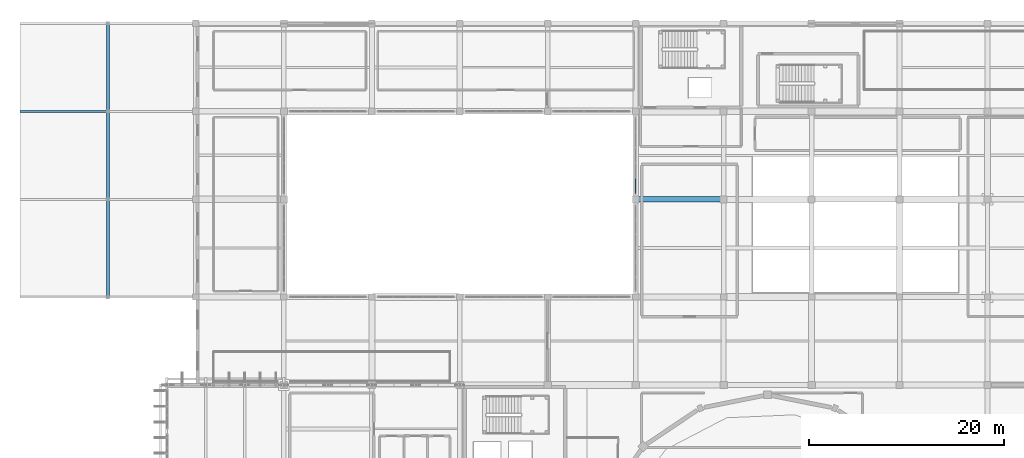
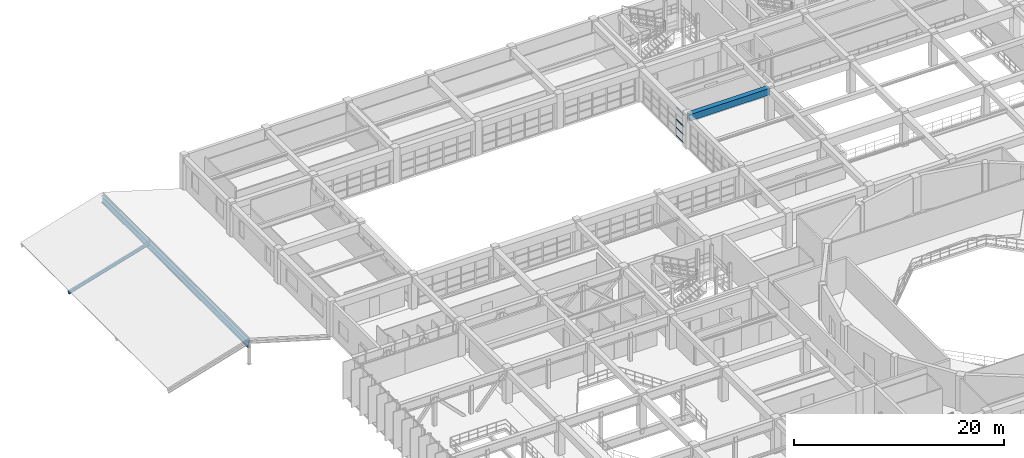
# One storey, part 58 of 130: 5 members, 2 beams, 1 element without a shape of its own.
"""IFC4 building model written with IfcOpenShell, lengths in metres."""

from ifc_helpers import new_model, si_unit, direction, frame, origin, origin_2d, place, context, subcontext, project, spatial, rectangle, hollow_rectangle, i_section, extrude, material, material_profile, profile_set, type_object, element, aggregate, save


model = new_model("IFC4")

# Units and contexts
model_context = context("Model", 3, precision=1e-05, world=origin(), true_north=direction((0.0, 1.0)))
body_context = subcontext(model_context, "Body", "Model", "MODEL_VIEW")
ifc_project = project(units=[si_unit("LENGTHUNIT", "METRE"), si_unit("AREAUNIT", "SQUARE_METRE"), si_unit("VOLUMEUNIT", "CUBIC_METRE"), si_unit("PLANEANGLEUNIT", "RADIAN"), si_unit("MASSUNIT", "GRAM", prefix="KILO")], contexts=[model_context])

# Site, building, storey
site_placement = place(None, origin())
site = spatial("IfcSite", under=ifc_project, at=site_placement, CompositionType="ELEMENT")
building_placement = place(site_placement, origin())
building = spatial("IfcBuilding", under=site, at=building_placement, Name="Miravela Opera House", CompositionType="ELEMENT")
storey_placement = place(building_placement, frame((0.0, 0.0, 9.52001953125)))
storey = spatial("IfcBuildingStorey", under=building, at=storey_placement, Name="L02", CompositionType="ELEMENT", Elevation=9.52001953125)

# Curtain wall, members
ifc_material_1 = material(Name="Anodised architectural bronze aluminium 6063-T6", Category="aluminium")
curtain_wall_type = type_object("IfcCurtainWallType", Name="ARC-CW-05", PredefinedType="NOTDEFINED", material=ifc_material_1)
curtain_wall_placement = place(storey_placement, origin())
curtain_wall = element("IfcCurtainWall", 1, at=curtain_wall_placement, inside=storey, type_object=curtain_wall_type, Name="Courtyard Arcade Curtain Wall CW-L02-100", PredefinedType="NOTDEFINED")
ifc_material_profile_1 = material_profile(ifc_material_1, hollow_rectangle(XDim=0.06005859375, YDim=0.114990234375, WallThickness=0.00390625, InnerFilletRadius=0.001953125, OuterFilletRadius=0.00390625, at=origin_2d()), Name="CWT-60X115")
ifc_profile_set_1 = profile_set([ifc_material_profile_1])
member_type_1 = type_object("IfcMemberType", Name="ARC-CWT-115", PredefinedType="USERDEFINED", material=ifc_profile_set_1)
member_1_placement = place(storey_placement, frame((63.0, 94.639892578125, 0.030029296875), z_axis=(0.0, 1.0, 0.0), x_axis=(-1.0, 0.0, 0.0)))
member_1 = element("IfcMember", 2, at=member_1_placement, type_object=member_type_1, Name="CW-05 transom 1.1", ObjectType="TRANSOM", PredefinedType="USERDEFINED", context=body_context, shape_type="SweptSolid", body=[
    extrude(hollow_rectangle(XDim=0.06005859375, YDim=0.114990234375, WallThickness=0.00390625, InnerFilletRadius=0.001953125, OuterFilletRadius=0.00390625, at=origin_2d()), origin(), (0.0, 0.0, 1.0), 1.47802734375),
])
member_2_placement = place(storey_placement, frame((63.0, 94.639892578125, 0.949951171875), z_axis=(0.0, 1.0, 0.0), x_axis=(-1.0, 0.0, 0.0)))
member_2 = element("IfcMember", 3, at=member_2_placement, type_object=member_type_1, Name="CW-05 transom 1.2", ObjectType="TRANSOM", PredefinedType="USERDEFINED", context=body_context, shape_type="SweptSolid", body=[
    extrude(hollow_rectangle(XDim=0.06005859375, YDim=0.114990234375, WallThickness=0.00390625, InnerFilletRadius=0.001953125, OuterFilletRadius=0.00390625, at=origin_2d()), origin(), (0.0, 0.0, 1.0), 1.47802734375),
])
member_3_placement = place(storey_placement, frame((63.0, 94.639892578125, 1.908203125), z_axis=(0.0, 1.0, 0.0), x_axis=(-1.0, 0.0, 0.0)))
member_3 = element("IfcMember", 4, at=member_3_placement, type_object=member_type_1, Name="CW-05 transom 1.3", ObjectType="TRANSOM", PredefinedType="USERDEFINED", context=body_context, shape_type="SweptSolid", body=[
    extrude(hollow_rectangle(XDim=0.06005859375, YDim=0.114990234375, WallThickness=0.00390625, InnerFilletRadius=0.001953125, OuterFilletRadius=0.00390625, at=origin_2d()), origin(), (0.0, 0.0, 1.0), 1.47802734375),
])
member_4_placement = place(storey_placement, frame((63.0, 94.639892578125, 3.260009765625), z_axis=(0.0, 1.0, 0.0), x_axis=(-1.0, 0.0, 0.0)))
member_4 = element("IfcMember", 5, at=member_4_placement, type_object=member_type_1, Name="CW-05 transom 1.4", ObjectType="TRANSOM", PredefinedType="USERDEFINED", context=body_context, shape_type="SweptSolid", body=[
    extrude(hollow_rectangle(XDim=0.06005859375, YDim=0.114990234375, WallThickness=0.00390625, InnerFilletRadius=0.001953125, OuterFilletRadius=0.00390625, at=origin_2d()), origin(), (0.0, 0.0, 1.0), 1.47802734375),
])
aggregate(curtain_wall, [member_1, member_2, member_3, member_4])

# Beams
ifc_material_2 = material(Name="Concrete C35/45", Category="concrete")
ifc_material_profile_2 = material_profile(ifc_material_2, rectangle(XDim=0.550048828125, YDim=0.75, at=origin_2d()), Name="RC-BM-550X750")
ifc_profile_set_2 = profile_set([ifc_material_profile_2])
beam_type_1 = type_object("IfcBeamType", Name="STR-BM-RC550X750", PredefinedType="BEAM", material=ifc_profile_set_2)
beam_1_placement = place(storey_placement, frame((63.080078125, 94.0, 3.465087890625), z_axis=(1.0, 0.0, 0.0), x_axis=(0.0, 1.0, 0.0)))
element("IfcBeam", 6, at=beam_1_placement, inside=storey, type_object=beam_type_1, Name="Floor Girder L02 8-9/K", PredefinedType="BEAM", context=body_context, shape_type="SweptSolid", body=[
    extrude(rectangle(XDim=0.550048828125, YDim=0.75, at=origin_2d()), origin(), (0.0, 0.0, 1.0), 8.83984375),
])
ifc_material_3 = material(Name="Structural steel ASTM A992 Gr. 50", Category="steel")
ifc_material_profile_3 = material_profile(ifc_material_3, i_section(OverallWidth=0.26806640625, OverallDepth=0.77001953125, WebThickness=0.015625, FlangeThickness=0.025390625, FilletRadius=0.02001953125, at=origin_2d()), Name="W760X196")
ifc_profile_set_3 = profile_set([ifc_material_profile_3])
beam_type_2 = type_object("IfcBeamType", Name="STR-BM-W760X196", PredefinedType="BEAM", material=ifc_profile_set_3)
beam_2_placement = place(storey_placement, frame((9.0, 84.0, 1.955078125), z_axis=(0.0, 1.0, 0.0), x_axis=(-1.0, 0.0, 0.0)))
element("IfcBeam", 7, at=beam_2_placement, inside=storey, type_object=beam_type_2, Name="Clay Tile Roof Ridge Beam ROOF-V5-NORTH", PredefinedType="BEAM", context=body_context, shape_type="SweptSolid", body=[
    extrude(i_section(OverallWidth=0.26806640625, OverallDepth=0.77001953125, WebThickness=0.015625, FlangeThickness=0.025390625, FilletRadius=0.02001953125, at=origin_2d()), origin(), (0.0, 0.0, 1.0), 28.0),
])

# Member
ifc_material_profile_4 = material_profile(ifc_material_3, i_section(OverallWidth=0.2041015625, OverallDepth=0.35009765625, WebThickness=0.008544921875, FlangeThickness=0.01513671875, FilletRadius=0.013916015625, at=origin_2d()), Name="W360X72")
ifc_profile_set_4 = profile_set([ifc_material_profile_4])
member_type_2 = type_object("IfcMemberType", Name="STR-MEM-RAFTER-1", PredefinedType="RAFTER", material=ifc_profile_set_4)
member_5_placement = place(storey_placement, frame((0.050048828125, 103.0, -0.39990234375), z_axis=(0.958562219619, 0.0, 0.284883258756), x_axis=(0.0, 1.0, 0.0)))
element("IfcMember", 8, at=member_5_placement, inside=storey, type_object=member_type_2, Name="Pitched Roof Rafter ROOF-V5-NORTH W2", PredefinedType="RAFTER", context=body_context, shape_type="SweptSolid", body=[
    extrude(i_section(OverallWidth=0.2041015625, OverallDepth=0.35009765625, WebThickness=0.008544921875, FlangeThickness=0.01513671875, FilletRadius=0.013916015625, at=origin_2d()), origin(), (0.0, 0.0, 1.0), 9.3369140625),
])

save(model, "model.ifc")
